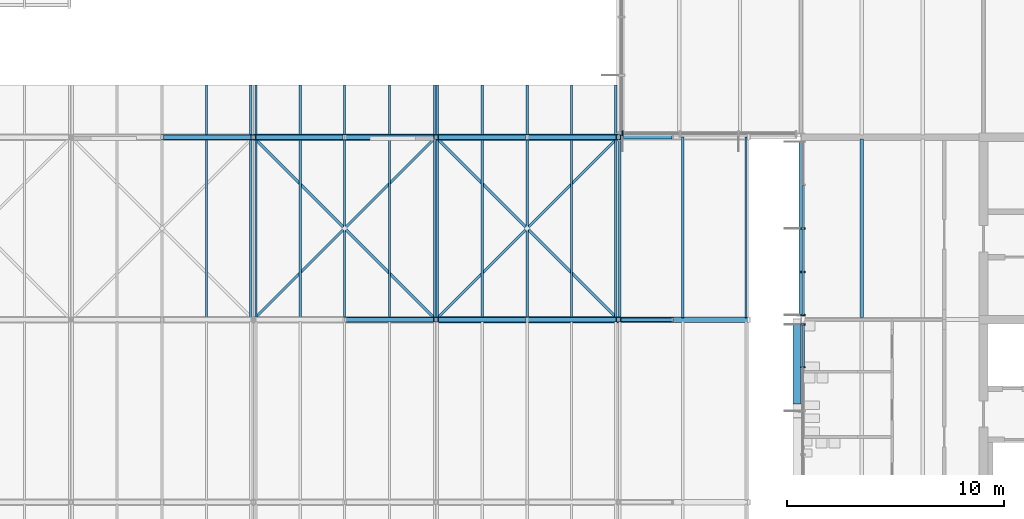
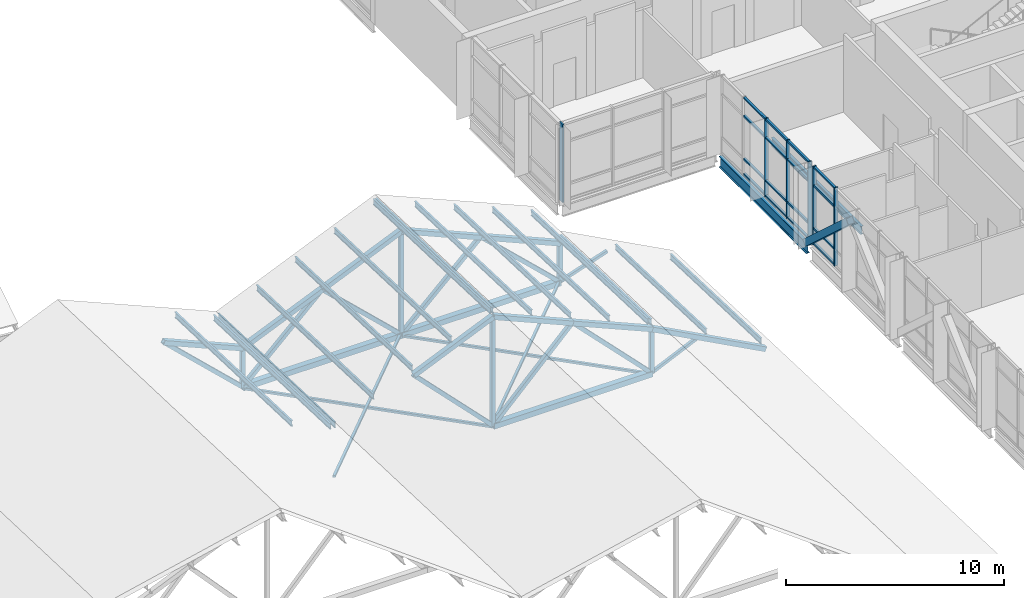
# One storey, part 17 of 76: 42 members, 29 beams, 3 elements without a shape of their own.
"""IFC4 building model written with IfcOpenShell, lengths in metres."""

from ifc_helpers import new_model, si_unit, direction, frame, origin, origin_2d, place, context, subcontext, project, spatial, rectangle, hollow_rectangle, i_section, extrude, material, material_profile, profile_set, type_object, element, aggregate, save


model = new_model("IFC4")

# Units and contexts
model_context = context("Model", 3, precision=1e-05, world=origin(), true_north=direction((0.0, 1.0)))
body_context = subcontext(model_context, "Body", "Model", "MODEL_VIEW")
ifc_project = project(units=[si_unit("LENGTHUNIT", "METRE"), si_unit("AREAUNIT", "SQUARE_METRE"), si_unit("VOLUMEUNIT", "CUBIC_METRE"), si_unit("PLANEANGLEUNIT", "RADIAN"), si_unit("MASSUNIT", "GRAM", prefix="KILO")], contexts=[model_context])

# Site, building, storey
site_placement = place(None, origin())
site = spatial("IfcSite", under=ifc_project, at=site_placement, CompositionType="ELEMENT")
building_placement = place(site_placement, origin())
building = spatial("IfcBuilding", under=site, at=building_placement, Name="Hlaing Beacon Police Headquarters", CompositionType="ELEMENT")
storey_placement = place(building_placement, frame((0.0, 0.0, 18.89990234375)))
storey = spatial("IfcBuildingStorey", under=building, at=storey_placement, Name="L04", CompositionType="ELEMENT", Elevation=18.89990234375)

# Members
ifc_material_1 = material(Name="Steel ASTM A500 Grade C", Category="steel")
ifc_material_profile_1 = material_profile(ifc_material_1, hollow_rectangle(XDim=0.355712890625, YDim=0.355712890625, WallThickness=0.015869140625, at=origin_2d()), Name="HSS14x14x5/8")
ifc_profile_set_1 = profile_set([ifc_material_profile_1], Name="Steel ASTM A500 Grade C")
member_type_1 = type_object("IfcMemberType", Name="Chevron brace HSS14x14x5/8", PredefinedType="BRACE", material=ifc_profile_set_1)
member_1_placement = place(storey_placement, frame((100.6181640625, 58.72705078125, 0.131103515625), z_axis=(0.0, -0.738446730342, 0.674311816927), x_axis=(1.0, 0.0, 0.0)))
element("IfcMember", 1, at=member_1_placement, inside=storey, type_object=member_type_1, Name="STR-BR-L04-N7b", PredefinedType="BRACE", context=body_context, shape_type="SweptSolid", body=[
    extrude(hollow_rectangle(XDim=0.355712890625, YDim=0.355712890625, WallThickness=0.015869140625, at=origin_2d()), origin(), (0.0, 0.0, 1.0), 5.31787109375),
])
ifc_material_2 = material(Name="Steel ASTM A500 Grade C", Category="steel")
ifc_material_profile_2 = material_profile(ifc_material_2, hollow_rectangle(XDim=0.15234375, YDim=0.15234375, WallThickness=0.0126953125, at=origin_2d()), Name="HSS6x6x1/2")
ifc_profile_set_2 = profile_set([ifc_material_profile_2], Name="Steel ASTM A500 Grade C")
member_type_2 = type_object("IfcMemberType", Name="Eave strut HSS6x6x1/2", PredefinedType="BRACE", material=ifc_profile_set_2)
member_2_placement = place(storey_placement, frame((92.39990234375, 58.800048828125, -4.347412109375), z_axis=(0.909882017807, 0.0, 0.414867103627), x_axis=(0.0, 1.0, 0.0)))
element("IfcMember", 2, at=member_2_placement, inside=storey, type_object=member_type_2, Name="STR-RT-V1-T4-ST02", PredefinedType="BRACE", context=body_context, shape_type="SweptSolid", body=[
    extrude(hollow_rectangle(XDim=0.15234375, YDim=0.15234375, WallThickness=0.0126953125, at=origin_2d()), origin(), (0.0, 0.0, 1.0), 2.74755859375),
])
member_3_placement = place(storey_placement, frame((92.39990234375, 67.199951171875, -4.347412109375), z_axis=(0.947940118274, 0.0, 0.318448633483), x_axis=(0.0, 1.0, 0.0)))
element("IfcMember", 3, at=member_3_placement, inside=storey, type_object=member_type_2, Name="STR-RT-V1-T5-ST02", PredefinedType="BRACE", context=body_context, shape_type="SweptSolid", body=[
    extrude(hollow_rectangle(XDim=0.15234375, YDim=0.15234375, WallThickness=0.0126953125, at=origin_2d()), origin(), (0.0, 0.0, 1.0), 2.63720703125),
])

# Beam
ifc_material_3 = material(Name="Steel ASTM A992 Grade 50", Category="steel")
ifc_material_profile_3 = material_profile(ifc_material_3, i_section(OverallWidth=0.177978515625, OverallDepth=0.599365234375, WebThickness=0.010009765625, FlangeThickness=0.012939453125, FilletRadius=0.012939453125, at=origin_2d()), Name="W24x55")
ifc_profile_set_3 = profile_set([ifc_material_profile_3], Name="Steel ASTM A992 Grade 50")
beam_type_1 = type_object("IfcBeamType", Name="Girder W24x55", PredefinedType="BEAM", material=ifc_profile_set_3)
beam_1_placement = place(storey_placement, frame((100.800048828125, 58.989990234375, -0.4296875), z_axis=(0.0, 1.0, 0.0), x_axis=(-1.0, 0.0, 0.0)))
element("IfcBeam", 4, at=beam_1_placement, inside=storey, type_object=beam_type_1, Name="STR-BM-L04-GY-N8-N9", PredefinedType="BEAM", context=body_context, shape_type="SweptSolid", body=[
    extrude(i_section(OverallWidth=0.177978515625, OverallDepth=0.599365234375, WebThickness=0.010009765625, FlangeThickness=0.012939453125, FilletRadius=0.012939453125, at=origin_2d()), origin(), (0.0, 0.0, 1.0), 8.02294921875),
])

# Curtain wall, members
ifc_material_4 = material(Name="Aluminium frame with solar control glazing", Category="aluminium")
curtain_wall_type_1 = type_object("IfcCurtainWallType", Name="Unitised curtain wall 8.03 x 4.37", PredefinedType="NOTDEFINED", material=ifc_material_4)
curtain_wall_1_placement = place(storey_placement, origin())
curtain_wall_1 = element("IfcCurtainWall", 5, at=curtain_wall_1_placement, inside=storey, type_object=curtain_wall_type_1, Name="ENV-CW-L04-W019", PredefinedType="NOTDEFINED")
ifc_material_5 = material(Name="Aluminium", Category="aluminium")
ifc_material_profile_4 = material_profile(ifc_material_5, rectangle(XDim=0.199951171875, YDim=0.06005859375, at=origin_2d()), Name="Mullion 60x200")
ifc_profile_set_4 = profile_set([ifc_material_profile_4], Name="Aluminium")
member_type_3 = type_object("IfcMemberType", Name="Mullion 60x200", PredefinedType="MULLION", material=ifc_profile_set_4)
member_4_placement = place(storey_placement, frame((100.89990234375, 63.001953125, 0.0), z_axis=(0.0, 0.0, 1.0), x_axis=(1.0, 0.0, 0.0)))
member_4 = element("IfcMember", 6, at=member_4_placement, type_object=member_type_3, Name="CW-L04-W019 mullion 3", PredefinedType="MULLION", context=body_context, shape_type="SweptSolid", body=[
    extrude(rectangle(XDim=0.199951171875, YDim=0.06005859375, at=origin_2d()), origin(), (0.0, 0.0, 1.0), 4.3701171875),
])
member_5_placement = place(storey_placement, frame((100.89990234375, 60.994873046875, 0.0), z_axis=(0.0, 0.0, 1.0), x_axis=(1.0, 0.0, 0.0)))
member_5 = element("IfcMember", 7, at=member_5_placement, type_object=member_type_3, Name="CW-L04-W019 mullion 4", PredefinedType="MULLION", context=body_context, shape_type="SweptSolid", body=[
    extrude(rectangle(XDim=0.199951171875, YDim=0.06005859375, at=origin_2d()), origin(), (0.0, 0.0, 1.0), 4.3701171875),
])
member_6_placement = place(storey_placement, frame((100.89990234375, 59.01806640625, 0.0), z_axis=(0.0, 0.0, 1.0), x_axis=(1.0, 0.0, 0.0)))
member_6 = element("IfcMember", 8, at=member_6_placement, type_object=member_type_3, Name="CW-L04-W019 mullion 5", PredefinedType="MULLION", context=body_context, shape_type="SweptSolid", body=[
    extrude(rectangle(XDim=0.199951171875, YDim=0.06005859375, at=origin_2d()), origin(), (0.0, 0.0, 1.0), 4.3701171875),
])

ifc_material_6 = material(Name="Aluminium frame with solar control glazing", Category="aluminium")
curtain_wall_type_2 = type_object("IfcCurtainWallType", Name="Unitised curtain wall 8.02 x 4.37", PredefinedType="NOTDEFINED", material=ifc_material_6)
curtain_wall_2_placement = place(storey_placement, origin())
curtain_wall_2 = element("IfcCurtainWall", 9, at=curtain_wall_2_placement, inside=storey, type_object=curtain_wall_type_2, Name="ENV-CW-L04-W020", PredefinedType="NOTDEFINED")
member_7_placement = place(storey_placement, frame((100.89990234375, 58.58203125, 0.0), z_axis=(0.0, 0.0, 1.0), x_axis=(1.0, 0.0, 0.0)))
member_7 = element("IfcMember", 10, at=member_7_placement, type_object=member_type_3, Name="CW-L04-W020 mullion 1", PredefinedType="MULLION", context=body_context, shape_type="SweptSolid", body=[
    extrude(rectangle(XDim=0.199951171875, YDim=0.06005859375, at=origin_2d()), origin(), (0.0, 0.0, 1.0), 4.3701171875),
])
member_8_placement = place(storey_placement, frame((100.89990234375, 56.60595703125, 0.0), z_axis=(0.0, 0.0, 1.0), x_axis=(1.0, 0.0, 0.0)))
member_8 = element("IfcMember", 11, at=member_8_placement, type_object=member_type_3, Name="CW-L04-W020 mullion 2", PredefinedType="MULLION", context=body_context, shape_type="SweptSolid", body=[
    extrude(rectangle(XDim=0.199951171875, YDim=0.06005859375, at=origin_2d()), origin(), (0.0, 0.0, 1.0), 4.3701171875),
])

# Curtain wall, member
ifc_material_7 = material(Name="Aluminium frame with solar control glazing", Category="aluminium")
curtain_wall_type_3 = type_object("IfcCurtainWallType", Name="Structural glazed gable wall 8.06 x 4.37", PredefinedType="NOTDEFINED", material=ifc_material_7)
curtain_wall_3_placement = place(storey_placement, origin())
curtain_wall_3 = element("IfcCurtainWall", 12, at=curtain_wall_3_placement, inside=storey, type_object=curtain_wall_type_3, Name="ENV-CW-L04-S018", PredefinedType="NOTDEFINED")
ifc_material_8 = material(Name="Aluminium", Category="aluminium")
ifc_material_profile_5 = material_profile(ifc_material_8, rectangle(XDim=0.300048828125, YDim=0.080078125, at=origin_2d()), Name="Mullion 80x300")
ifc_profile_set_5 = profile_set([ifc_material_profile_5], Name="Aluminium")
member_type_4 = type_object("IfcMemberType", Name="Mullion 80x300", PredefinedType="MULLION", material=ifc_profile_set_5)
member_9_placement = place(storey_placement, frame((92.590087890625, 67.35009765625, 0.0), z_axis=(0.0, 0.0, 1.0), x_axis=(0.0, 1.0, 0.0)))
member_9 = element("IfcMember", 13, at=member_9_placement, type_object=member_type_4, Name="CW-L04-S018 mullion 1", PredefinedType="MULLION", context=body_context, shape_type="SweptSolid", body=[
    extrude(rectangle(XDim=0.300048828125, YDim=0.080078125, at=origin_2d()), origin(), (0.0, 0.0, 1.0), 4.3701171875),
])
aggregate(curtain_wall_3, [member_9])

# Members
ifc_material_9 = material(Name="Steel ASTM A500 Grade C", Category="steel")
ifc_material_profile_6 = material_profile(ifc_material_9, hollow_rectangle(XDim=0.126953125, YDim=0.126953125, WallThickness=0.009521484375, at=origin_2d()), Name="HSS5x5x3/8")
ifc_profile_set_6 = profile_set([ifc_material_profile_6], Name="Steel ASTM A500 Grade C")
member_type_5 = type_object("IfcMemberType", Name="Roof plan brace HSS5x5x3/8", PredefinedType="BRACE", material=ifc_profile_set_6)
for number, where, z_axis, x_axis, name in (
    (14, (75.60009765625, 58.800048828125, -4.27392578125), (0.707106781187, 0.707106781187, 0.0), (-0.707106781187, 0.707106781187, 0.0), "STR-RT-V1-WB13"),
    (15, (75.60009765625, 67.199951171875, -4.4208984375), (0.707106781187, -0.707106781187, 0.0), (0.707106781187, 0.707106781187, 0.0), "STR-RT-V1-WB14"),
    (16, (84.0, 58.800048828125, -4.27392578125), (0.707106781187, 0.707106781187, 0.0), (-0.707106781187, 0.707106781187, 0.0), "STR-RT-V1-WB15"),
    (17, (84.0, 67.199951171875, -4.4208984375), (0.707106781187, -0.707106781187, 0.0), (0.707106781187, 0.707106781187, 0.0), "STR-RT-V1-WB16"),
):
    element("IfcMember", number, at=place(storey_placement, frame(where, z_axis=z_axis, x_axis=x_axis)), inside=storey, type_object=member_type_5, Name=name, PredefinedType="BRACE", context=body_context, shape_type="SweptSolid", body=[
        extrude(hollow_rectangle(XDim=0.126953125, YDim=0.126953125, WallThickness=0.009521484375, at=origin_2d()), origin(), (0.0, 0.0, 1.0), 11.879150390625),
    ])

# Beams
ifc_material_10 = material(Name="Steel ASTM A992 Grade 50", Category="steel")
ifc_material_profile_7 = material_profile(ifc_material_10, i_section(OverallWidth=0.102294921875, OverallDepth=0.3125, WebThickness=0.006591796875, FlangeThickness=0.0107421875, FilletRadius=0.007568359375, at=origin_2d()), Name="W12x22")
ifc_profile_set_7 = profile_set([ifc_material_profile_7], Name="Steel ASTM A992 Grade 50")
beam_type_2 = type_object("IfcBeamType", Name="Roof purlin W12x22", PredefinedType="BEAM", material=ifc_profile_set_7)
for number, where, z_axis, x_axis, name in (
    (18, (73.43994140625, 58.890625, -0.619384765625), (0.0, 0.999362564096, -0.035699656635), (-1.0, 0.0, 0.0), "STR-RT-V1-PR-R3-04-4"),
    (19, (75.479736328125, 58.890625, -1.49365234375), (0.0, 0.999362564096, -0.035699656635), (-1.0, 0.0, 0.0), "STR-RT-V1-PR-R3-05-4"),
    (20, (75.72021484375, 58.890625, -1.49365234375), (0.0, 0.999362564096, -0.035699656635), (-1.0, 0.0, 0.0), "STR-RT-V1-PR-R4-01-4"),
    (21, (77.760009765625, 58.890625, -0.619384765625), (0.0, 0.999362564096, -0.035699656635), (-1.0, 0.0, 0.0), "STR-RT-V1-PR-R4-02-4"),
    (22, (79.800048828125, 58.890625, 0.2548828125), (0.0, 0.999362564096, -0.035699656635), (-1.0, 0.0, 0.0), "STR-RT-V1-PR-R4-03-4"),
    (23, (81.869384765625, 58.890625, 1.141845703125), (0.0, 0.999362564096, -0.035699656635), (-1.0, 0.0, 0.0), "STR-RT-V1-PR-R4-04-4"),
    (24, (83.938720703125, 58.890625, 2.02880859375), (0.0, 0.99936175104, -0.035722409739), (-1.0, 0.0, 0.0), "STR-RT-V1-PR-R4-05-4"),
    (25, (84.061279296875, 58.890625, 2.02880859375), (0.0, 0.99936175104, -0.035722409739), (-1.0, 0.0, 0.0), "STR-RT-V1-PR-R5-01-4"),
    (26, (86.130615234375, 58.890625, 1.141845703125), (0.0, 0.999362564096, -0.035699656635), (-1.0, 0.0, 0.0), "STR-RT-V1-PR-R5-02-4"),
    (27, (88.199951171875, 58.890625, 0.2548828125), (0.0, 0.999362564096, -0.035699656635), (-1.0, 0.0, 0.0), "STR-RT-V1-PR-R5-03-4"),
    (28, (90.239990234375, 58.890625, -0.619384765625), (0.0, 0.999362564096, -0.035699656635), (-1.0, 0.0, 0.0), "STR-RT-V1-PR-R5-04-4"),
    (29, (92.27978515625, 58.890625, -1.49365234375), (0.0, 0.999362564096, -0.035699656635), (-1.0, 0.0, 0.0), "STR-RT-V1-PR-R5-05-4"),
):
    element("IfcBeam", number, at=place(storey_placement, frame(where, z_axis=z_axis, x_axis=x_axis)), inside=storey, type_object=beam_type_2, Name=name, PredefinedType="BEAM", context=body_context, shape_type="SweptSolid", body=[
        extrude(i_section(OverallWidth=0.102294921875, OverallDepth=0.3125, WebThickness=0.006591796875, FlangeThickness=0.0107421875, FilletRadius=0.007568359375, at=origin_2d()), origin(), (0.0, 0.0, 1.0), 10.71630859375),
    ])
for number, where, z_axis, x_axis, name in (
    (30, (92.461181640625, 58.890625, -1.589599609375), (0.0, 0.999362367992, -0.035705145864), (-1.0, 0.0, 0.0), "STR-RT-V1-PR-R6-01-4"),
    (31, (95.36474609375, 58.890625, -3.13818359375), (0.0, 0.999362367992, -0.035705145864), (-1.0, 0.0, 0.0), "STR-RT-V1-PR-R6-02-4"),
    (32, (98.268310546875, 58.890625, -4.686767578125), (0.0, 0.999362367992, -0.035705145864), (-1.0, 0.0, 0.0), "STR-RT-V1-PR-R6-03-4"),
):
    element("IfcBeam", number, at=place(storey_placement, frame(where, z_axis=z_axis, x_axis=x_axis)), inside=storey, type_object=beam_type_2, Name=name, PredefinedType="BEAM", context=body_context, shape_type="SweptSolid", body=[
        extrude(i_section(OverallWidth=0.102294921875, OverallDepth=0.3125, WebThickness=0.006591796875, FlangeThickness=0.0107421875, FilletRadius=0.007568359375, at=origin_2d()), origin(), (0.0, 0.0, 1.0), 8.314697265625),
    ])
ifc_material_11 = material(Name="Steel ASTM A992 Grade 50", Category="steel")
ifc_material_profile_8 = material_profile(ifc_material_11, i_section(OverallWidth=0.15234375, OverallDepth=0.449462890625, WebThickness=0.007568359375, FlangeThickness=0.0107421875, FilletRadius=0.01025390625, at=origin_2d()), Name="W18x35")
ifc_profile_set_8 = profile_set([ifc_material_profile_8], Name="Steel ASTM A992 Grade 50")
beam_type_3 = type_object("IfcBeamType", Name="Secondary beam W18x35", PredefinedType="BEAM", material=ifc_profile_set_8)
beam_2_placement = place(storey_placement, frame((103.60009765625, 58.888916015625, -0.354736328125), z_axis=(0.0, 1.0, 0.0), x_axis=(-1.0, 0.0, 0.0)))
element("IfcBeam", 33, at=beam_2_placement, inside=storey, type_object=beam_type_3, Name="STR-BM-L04-SB-N8-y1", PredefinedType="BEAM", context=body_context, shape_type="SweptSolid", body=[
    extrude(i_section(OverallWidth=0.15234375, OverallDepth=0.449462890625, WebThickness=0.007568359375, FlangeThickness=0.0107421875, FilletRadius=0.01025390625, at=origin_2d()), origin(), (0.0, 0.0, 1.0), 8.22216796875),
])

# Member
ifc_material_12 = material(Name="Aluminium", Category="aluminium")
ifc_material_profile_9 = material_profile(ifc_material_12, rectangle(XDim=0.1201171875, YDim=0.10009765625, at=origin_2d()), Name="Transom 120x100")
ifc_profile_set_9 = profile_set([ifc_material_profile_9], Name="Aluminium")
member_type_6 = type_object("IfcMemberType", Name="Transom 120x100", PredefinedType="USERDEFINED", material=ifc_profile_set_9)
member_10_placement = place(storey_placement, frame((100.89990234375, 64.97900390625, 0.050048828125), z_axis=(0.0, -1.0, 0.0), x_axis=(1.0, 0.0, 0.0)))
member_10 = element("IfcMember", 34, at=member_10_placement, type_object=member_type_6, Name="CW-L04-W019 transom 2.1", ObjectType="TRANSOM", PredefinedType="USERDEFINED", context=body_context, shape_type="SweptSolid", body=[
    extrude(rectangle(XDim=0.1201171875, YDim=0.10009765625, at=origin_2d()), origin(), (0.0, 0.0, 1.0), 1.947021484375),
])

member_11_placement = place(storey_placement, frame((100.89990234375, 64.97900390625, 0.900146484375), z_axis=(0.0, -1.0, 0.0), x_axis=(1.0, 0.0, 0.0)))
member_11 = element("IfcMember", 35, at=member_11_placement, type_object=member_type_6, Name="CW-L04-W019 transom 2.2", ObjectType="TRANSOM", PredefinedType="USERDEFINED", context=body_context, shape_type="SweptSolid", body=[
    extrude(rectangle(XDim=0.1201171875, YDim=0.10009765625, at=origin_2d()), origin(), (0.0, 0.0, 1.0), 1.947021484375),
])

member_12_placement = place(storey_placement, frame((100.89990234375, 64.97900390625, 3.300048828125), z_axis=(0.0, -1.0, 0.0), x_axis=(1.0, 0.0, 0.0)))
member_12 = element("IfcMember", 36, at=member_12_placement, type_object=member_type_6, Name="CW-L04-W019 transom 2.3", ObjectType="TRANSOM", PredefinedType="USERDEFINED", context=body_context, shape_type="SweptSolid", body=[
    extrude(rectangle(XDim=0.1201171875, YDim=0.10009765625, at=origin_2d()), origin(), (0.0, 0.0, 1.0), 1.947021484375),
])

member_13_placement = place(storey_placement, frame((100.89990234375, 64.97900390625, 4.320068359375), z_axis=(0.0, -1.0, 0.0), x_axis=(1.0, 0.0, 0.0)))
member_13 = element("IfcMember", 37, at=member_13_placement, type_object=member_type_6, Name="CW-L04-W019 transom 2.4", ObjectType="TRANSOM", PredefinedType="USERDEFINED", context=body_context, shape_type="SweptSolid", body=[
    extrude(rectangle(XDim=0.1201171875, YDim=0.10009765625, at=origin_2d()), origin(), (0.0, 0.0, 1.0), 1.947021484375),
])

member_14_placement = place(storey_placement, frame((100.89990234375, 62.971923828125, 0.050048828125), z_axis=(0.0, -1.0, 0.0), x_axis=(1.0, 0.0, 0.0)))
member_14 = element("IfcMember", 38, at=member_14_placement, type_object=member_type_6, Name="CW-L04-W019 transom 3.1", ObjectType="TRANSOM", PredefinedType="USERDEFINED", context=body_context, shape_type="SweptSolid", body=[
    extrude(rectangle(XDim=0.1201171875, YDim=0.10009765625, at=origin_2d()), origin(), (0.0, 0.0, 1.0), 1.947021484375),
])

member_15_placement = place(storey_placement, frame((100.89990234375, 62.971923828125, 0.900146484375), z_axis=(0.0, -1.0, 0.0), x_axis=(1.0, 0.0, 0.0)))
member_15 = element("IfcMember", 39, at=member_15_placement, type_object=member_type_6, Name="CW-L04-W019 transom 3.2", ObjectType="TRANSOM", PredefinedType="USERDEFINED", context=body_context, shape_type="SweptSolid", body=[
    extrude(rectangle(XDim=0.1201171875, YDim=0.10009765625, at=origin_2d()), origin(), (0.0, 0.0, 1.0), 1.947021484375),
])

member_16_placement = place(storey_placement, frame((100.89990234375, 62.971923828125, 3.300048828125), z_axis=(0.0, -1.0, 0.0), x_axis=(1.0, 0.0, 0.0)))
member_16 = element("IfcMember", 40, at=member_16_placement, type_object=member_type_6, Name="CW-L04-W019 transom 3.3", ObjectType="TRANSOM", PredefinedType="USERDEFINED", context=body_context, shape_type="SweptSolid", body=[
    extrude(rectangle(XDim=0.1201171875, YDim=0.10009765625, at=origin_2d()), origin(), (0.0, 0.0, 1.0), 1.947021484375),
])

member_17_placement = place(storey_placement, frame((100.89990234375, 62.971923828125, 4.320068359375), z_axis=(0.0, -1.0, 0.0), x_axis=(1.0, 0.0, 0.0)))
member_17 = element("IfcMember", 41, at=member_17_placement, type_object=member_type_6, Name="CW-L04-W019 transom 3.4", ObjectType="TRANSOM", PredefinedType="USERDEFINED", context=body_context, shape_type="SweptSolid", body=[
    extrude(rectangle(XDim=0.1201171875, YDim=0.10009765625, at=origin_2d()), origin(), (0.0, 0.0, 1.0), 1.947021484375),
])

member_18_placement = place(storey_placement, frame((100.89990234375, 60.965087890625, 0.050048828125), z_axis=(0.0, -1.0, 0.0), x_axis=(1.0, 0.0, 0.0)))
member_18 = element("IfcMember", 42, at=member_18_placement, type_object=member_type_6, Name="CW-L04-W019 transom 4.1", ObjectType="TRANSOM", PredefinedType="USERDEFINED", context=body_context, shape_type="SweptSolid", body=[
    extrude(rectangle(XDim=0.1201171875, YDim=0.10009765625, at=origin_2d()), origin(), (0.0, 0.0, 1.0), 1.9169921875),
])

member_19_placement = place(storey_placement, frame((100.89990234375, 60.965087890625, 0.900146484375), z_axis=(0.0, -1.0, 0.0), x_axis=(1.0, 0.0, 0.0)))
member_19 = element("IfcMember", 43, at=member_19_placement, type_object=member_type_6, Name="CW-L04-W019 transom 4.2", ObjectType="TRANSOM", PredefinedType="USERDEFINED", context=body_context, shape_type="SweptSolid", body=[
    extrude(rectangle(XDim=0.1201171875, YDim=0.10009765625, at=origin_2d()), origin(), (0.0, 0.0, 1.0), 1.9169921875),
])

member_20_placement = place(storey_placement, frame((100.89990234375, 60.965087890625, 3.300048828125), z_axis=(0.0, -1.0, 0.0), x_axis=(1.0, 0.0, 0.0)))
member_20 = element("IfcMember", 44, at=member_20_placement, type_object=member_type_6, Name="CW-L04-W019 transom 4.3", ObjectType="TRANSOM", PredefinedType="USERDEFINED", context=body_context, shape_type="SweptSolid", body=[
    extrude(rectangle(XDim=0.1201171875, YDim=0.10009765625, at=origin_2d()), origin(), (0.0, 0.0, 1.0), 1.9169921875),
])

member_21_placement = place(storey_placement, frame((100.89990234375, 60.965087890625, 4.320068359375), z_axis=(0.0, -1.0, 0.0), x_axis=(1.0, 0.0, 0.0)))
member_21 = element("IfcMember", 45, at=member_21_placement, type_object=member_type_6, Name="CW-L04-W019 transom 4.4", ObjectType="TRANSOM", PredefinedType="USERDEFINED", context=body_context, shape_type="SweptSolid", body=[
    extrude(rectangle(XDim=0.1201171875, YDim=0.10009765625, at=origin_2d()), origin(), (0.0, 0.0, 1.0), 1.9169921875),
])

aggregate(curtain_wall_1, [member_4, member_5, member_6, member_10, member_11, member_12, member_13, member_14, member_15, member_16, member_17, member_18, member_19, member_20, member_21])

member_22_placement = place(storey_placement, frame((100.89990234375, 58.552001953125, 0.050048828125), z_axis=(0.0, -1.0, 0.0), x_axis=(1.0, 0.0, 0.0)))
member_22 = element("IfcMember", 46, at=member_22_placement, type_object=member_type_6, Name="CW-L04-W020 transom 1.1", ObjectType="TRANSOM", PredefinedType="USERDEFINED", context=body_context, shape_type="SweptSolid", body=[
    extrude(rectangle(XDim=0.1201171875, YDim=0.10009765625, at=origin_2d()), origin(), (0.0, 0.0, 1.0), 1.916015625),
])

member_23_placement = place(storey_placement, frame((100.89990234375, 58.552001953125, 0.900146484375), z_axis=(0.0, -1.0, 0.0), x_axis=(1.0, 0.0, 0.0)))
member_23 = element("IfcMember", 47, at=member_23_placement, type_object=member_type_6, Name="CW-L04-W020 transom 1.2", ObjectType="TRANSOM", PredefinedType="USERDEFINED", context=body_context, shape_type="SweptSolid", body=[
    extrude(rectangle(XDim=0.1201171875, YDim=0.10009765625, at=origin_2d()), origin(), (0.0, 0.0, 1.0), 1.916015625),
])

member_24_placement = place(storey_placement, frame((100.89990234375, 58.552001953125, 3.300048828125), z_axis=(0.0, -1.0, 0.0), x_axis=(1.0, 0.0, 0.0)))
member_24 = element("IfcMember", 48, at=member_24_placement, type_object=member_type_6, Name="CW-L04-W020 transom 1.3", ObjectType="TRANSOM", PredefinedType="USERDEFINED", context=body_context, shape_type="SweptSolid", body=[
    extrude(rectangle(XDim=0.1201171875, YDim=0.10009765625, at=origin_2d()), origin(), (0.0, 0.0, 1.0), 1.916015625),
])

member_25_placement = place(storey_placement, frame((100.89990234375, 58.552001953125, 4.320068359375), z_axis=(0.0, -1.0, 0.0), x_axis=(1.0, 0.0, 0.0)))
member_25 = element("IfcMember", 49, at=member_25_placement, type_object=member_type_6, Name="CW-L04-W020 transom 1.4", ObjectType="TRANSOM", PredefinedType="USERDEFINED", context=body_context, shape_type="SweptSolid", body=[
    extrude(rectangle(XDim=0.1201171875, YDim=0.10009765625, at=origin_2d()), origin(), (0.0, 0.0, 1.0), 1.916015625),
])

aggregate(curtain_wall_2, [member_7, member_8, member_22, member_23, member_24, member_25])

# Beams
ifc_material_13 = material(Name="Steel ASTM A500 Grade C", Category="steel")
ifc_material_profile_10 = material_profile(ifc_material_13, hollow_rectangle(XDim=0.3046875, YDim=0.3046875, WallThickness=0.015869140625, at=origin_2d()), Name="HSS12x12x5/8")
ifc_profile_set_10 = profile_set([ifc_material_profile_10], Name="Steel ASTM A500 Grade C")
beam_type_4 = type_object("IfcBeamType", Name="Truss bottom chord HSS12x12x5/8", PredefinedType="BEAM", material=ifc_profile_set_10)
for number, where, z_axis, x_axis, name in (
    (50, (84.0, 58.800048828125, -4.347412109375), (1.0, 0.0, 0.0), (0.0, 1.0, 0.0), "STR-RT-V1-T4-BC04"),
    (51, (75.60009765625, 67.199951171875, -4.347412109375), (1.0, 0.0, 0.0), (0.0, 1.0, 0.0), "STR-RT-V1-T5-BC03"),
    (52, (84.0, 67.199951171875, -4.347412109375), (1.0, 0.0, 0.0), (0.0, 1.0, 0.0), "STR-RT-V1-T5-BC04"),
):
    element("IfcBeam", number, at=place(storey_placement, frame(where, z_axis=z_axis, x_axis=x_axis)), inside=storey, type_object=beam_type_4, Name=name, PredefinedType="BEAM", context=body_context, shape_type="SweptSolid", body=[
        extrude(hollow_rectangle(XDim=0.3046875, YDim=0.3046875, WallThickness=0.015869140625, at=origin_2d()), origin(), (0.0, 0.0, 1.0), 8.39990234375),
    ])

# Members
ifc_material_14 = material(Name="Steel ASTM A500 Grade C", Category="steel")
ifc_material_profile_11 = material_profile(ifc_material_14, hollow_rectangle(XDim=0.203125, YDim=0.203125, WallThickness=0.015869140625, at=origin_2d()), Name="HSS8x8x5/8")
ifc_profile_set_11 = profile_set([ifc_material_profile_11], Name="Steel ASTM A500 Grade C")
member_type_7 = type_object("IfcMemberType", Name="Truss post HSS8x8x5/8", PredefinedType="POST", material=ifc_profile_set_11)
member_26_placement = place(storey_placement, frame((84.0, 58.800048828125, -4.347412109375), z_axis=(0.0, 0.0, 1.0), x_axis=(1.0, 0.0, 0.0)))
element("IfcMember", 53, at=member_26_placement, inside=storey, type_object=member_type_7, Name="STR-RT-V1-T4-PS04", PredefinedType="POST", context=body_context, shape_type="SweptSolid", body=[
    extrude(hollow_rectangle(XDim=0.203125, YDim=0.203125, WallThickness=0.015869140625, at=origin_2d()), origin(), (0.0, 0.0, 1.0), 6.101806640625),
])
member_27_placement = place(storey_placement, frame((92.39990234375, 58.800048828125, -4.347412109375), z_axis=(0.0, 0.0, 1.0), x_axis=(1.0, 0.0, 0.0)))
element("IfcMember", 54, at=member_27_placement, inside=storey, type_object=member_type_7, Name="STR-RT-V1-T4-PS05", PredefinedType="POST", context=body_context, shape_type="SweptSolid", body=[
    extrude(hollow_rectangle(XDim=0.203125, YDim=0.203125, WallThickness=0.015869140625, at=origin_2d()), origin(), (0.0, 0.0, 1.0), 2.47802734375),
])
member_28_placement = place(storey_placement, frame((75.60009765625, 67.199951171875, -4.347412109375), z_axis=(0.0, 0.0, 1.0), x_axis=(1.0, 0.0, 0.0)))
element("IfcMember", 55, at=member_28_placement, inside=storey, type_object=member_type_7, Name="STR-RT-V1-T5-PS03", PredefinedType="POST", context=body_context, shape_type="SweptSolid", body=[
    extrude(hollow_rectangle(XDim=0.203125, YDim=0.203125, WallThickness=0.015869140625, at=origin_2d()), origin(), (0.0, 0.0, 1.0), 2.189697265625),
])
member_29_placement = place(storey_placement, frame((84.0, 67.199951171875, -4.347412109375), z_axis=(0.0, 0.0, 1.0), x_axis=(1.0, 0.0, 0.0)))
element("IfcMember", 56, at=member_29_placement, inside=storey, type_object=member_type_7, Name="STR-RT-V1-T5-PS04", PredefinedType="POST", context=body_context, shape_type="SweptSolid", body=[
    extrude(hollow_rectangle(XDim=0.203125, YDim=0.203125, WallThickness=0.015869140625, at=origin_2d()), origin(), (0.0, 0.0, 1.0), 5.8017578125),
])
member_30_placement = place(storey_placement, frame((92.39990234375, 67.199951171875, -4.347412109375), z_axis=(0.0, 0.0, 1.0), x_axis=(1.0, 0.0, 0.0)))
element("IfcMember", 57, at=member_30_placement, inside=storey, type_object=member_type_7, Name="STR-RT-V1-T5-PS05", PredefinedType="POST", context=body_context, shape_type="SweptSolid", body=[
    extrude(hollow_rectangle(XDim=0.203125, YDim=0.203125, WallThickness=0.015869140625, at=origin_2d()), origin(), (0.0, 0.0, 1.0), 2.17822265625),
])

# Beams
ifc_material_15 = material(Name="Steel ASTM A500 Grade C", Category="steel")
ifc_material_profile_12 = material_profile(ifc_material_15, hollow_rectangle(XDim=0.25390625, YDim=0.25390625, WallThickness=0.015869140625, at=origin_2d()), Name="HSS10x10x5/8")
ifc_profile_set_12 = profile_set([ifc_material_profile_12], Name="Steel ASTM A500 Grade C")
beam_type_5 = type_object("IfcBeamType", Name="Truss top chord HSS10x10x5/8", PredefinedType="BEAM", material=ifc_profile_set_12)
for number, where, z_axis, x_axis, name in (
    (58, (79.800048828125, 58.800048828125, -0.0576171875), (0.918189896614, 0.0, 0.396140522739), (0.0, 1.0, 0.0), "STR-RT-V1-T4-TC07"),
    (59, (84.0, 58.800048828125, 1.75439453125), (0.918189896614, 0.0, -0.396140522739), (0.0, 1.0, 0.0), "STR-RT-V1-T4-TC08"),
):
    element("IfcBeam", number, at=place(storey_placement, frame(where, z_axis=z_axis, x_axis=x_axis)), inside=storey, type_object=beam_type_5, Name=name, PredefinedType="BEAM", context=body_context, shape_type="SweptSolid", body=[
        extrude(hollow_rectangle(XDim=0.25390625, YDim=0.25390625, WallThickness=0.015869140625, at=origin_2d()), origin(), (0.0, 0.0, 1.0), 4.57421875),
    ])
beam_3_placement = place(storey_placement, frame((88.199951171875, 58.800048828125, -0.0576171875), z_axis=(0.918209309702, 0.0, -0.396095523298), x_axis=(0.0, 1.0, 0.0)))
element("IfcBeam", 60, at=beam_3_placement, inside=storey, type_object=beam_type_5, Name="STR-RT-V1-T4-TC09", PredefinedType="BEAM", context=body_context, shape_type="SweptSolid", body=[
    extrude(hollow_rectangle(XDim=0.25390625, YDim=0.25390625, WallThickness=0.015869140625, at=origin_2d()), origin(), (0.0, 0.0, 1.0), 4.573974609375),
])
beam_4_placement = place(storey_placement, frame((92.39990234375, 58.800048828125, -1.869384765625), z_axis=(0.881654838355, 0.0, -0.471894846343), x_axis=(0.0, 1.0, 0.0)))
element("IfcBeam", 61, at=beam_4_placement, inside=storey, type_object=beam_type_5, Name="STR-RT-V1-T4-TC10", PredefinedType="BEAM", context=body_context, shape_type="SweptSolid", body=[
    extrude(hollow_rectangle(XDim=0.25390625, YDim=0.25390625, WallThickness=0.015869140625, at=origin_2d()), origin(), (0.0, 0.0, 1.0), 6.805419921875),
])
beam_5_placement = place(storey_placement, frame((71.39990234375, 67.199951171875, -0.357666015625), z_axis=(0.91914779343, 0.0, -0.393912850556), x_axis=(0.0, 1.0, 0.0)))
element("IfcBeam", 62, at=beam_5_placement, inside=storey, type_object=beam_type_5, Name="STR-RT-V1-T5-TC05", PredefinedType="BEAM", context=body_context, shape_type="SweptSolid", body=[
    extrude(hollow_rectangle(XDim=0.25390625, YDim=0.25390625, WallThickness=0.015869140625, at=origin_2d()), origin(), (0.0, 0.0, 1.0), 4.569580078125),
])
beam_6_placement = place(storey_placement, frame((75.60009765625, 67.199951171875, -2.15771484375), z_axis=(0.919139502787, 0.0, 0.393932195201), x_axis=(0.0, 1.0, 0.0)))
element("IfcBeam", 63, at=beam_6_placement, inside=storey, type_object=beam_type_5, Name="STR-RT-V1-T5-TC06", PredefinedType="BEAM", context=body_context, shape_type="SweptSolid", body=[
    extrude(hollow_rectangle(XDim=0.25390625, YDim=0.25390625, WallThickness=0.015869140625, at=origin_2d()), origin(), (0.0, 0.0, 1.0), 4.5693359375),
])
for number, where, z_axis, x_axis, name in (
    (64, (79.800048828125, 67.199951171875, -0.357666015625), (0.918189896614, 0.0, 0.396140522739), (0.0, 1.0, 0.0), "STR-RT-V1-T5-TC07"),
    (65, (84.0, 67.199951171875, 1.454345703125), (0.918189896614, 0.0, -0.396140522739), (0.0, 1.0, 0.0), "STR-RT-V1-T5-TC08"),
):
    element("IfcBeam", number, at=place(storey_placement, frame(where, z_axis=z_axis, x_axis=x_axis)), inside=storey, type_object=beam_type_5, Name=name, PredefinedType="BEAM", context=body_context, shape_type="SweptSolid", body=[
        extrude(hollow_rectangle(XDim=0.25390625, YDim=0.25390625, WallThickness=0.015869140625, at=origin_2d()), origin(), (0.0, 0.0, 1.0), 4.57421875),
    ])
beam_7_placement = place(storey_placement, frame((88.199951171875, 67.199951171875, -0.357666015625), z_axis=(0.918228721405, 0.0, -0.396050521004), x_axis=(0.0, 1.0, 0.0)))
element("IfcBeam", 66, at=beam_7_placement, inside=storey, type_object=beam_type_5, Name="STR-RT-V1-T5-TC09", PredefinedType="BEAM", context=body_context, shape_type="SweptSolid", body=[
    extrude(hollow_rectangle(XDim=0.25390625, YDim=0.25390625, WallThickness=0.015869140625, at=origin_2d()), origin(), (0.0, 0.0, 1.0), 4.573974609375),
])

# Members
ifc_material_16 = material(Name="Steel ASTM A500 Grade C", Category="steel")
ifc_material_profile_13 = material_profile(ifc_material_16, hollow_rectangle(XDim=0.203125, YDim=0.203125, WallThickness=0.0126953125, at=origin_2d()), Name="HSS8x8x1/2")
ifc_profile_set_13 = profile_set([ifc_material_profile_13], Name="Steel ASTM A500 Grade C")
member_type_8 = type_object("IfcMemberType", Name="Truss web HSS8x8x1/2", PredefinedType="BRACE", material=ifc_profile_set_13)
for number, where, z_axis, x_axis, name in (
    (67, (79.800048828125, 58.800048828125, -0.0576171875), (0.699584566608, 0.0, -0.714549812234), (0.0, 1.0, 0.0), "STR-RT-V1-T4-DG06"),
    (68, (84.0, 58.800048828125, -4.347412109375), (0.699584566608, 0.0, 0.714549812234), (0.0, 1.0, 0.0), "STR-RT-V1-T4-DG07"),
    (69, (88.199951171875, 58.800048828125, -0.0576171875), (0.699584566608, 0.0, -0.714549812234), (0.0, 1.0, 0.0), "STR-RT-V1-T4-DG08"),
):
    element("IfcMember", number, at=place(storey_placement, frame(where, z_axis=z_axis, x_axis=x_axis)), inside=storey, type_object=member_type_8, Name=name, PredefinedType="BRACE", context=body_context, shape_type="SweptSolid", body=[
        extrude(hollow_rectangle(XDim=0.203125, YDim=0.203125, WallThickness=0.0126953125, at=origin_2d()), origin(), (0.0, 0.0, 1.0), 6.00341796875),
    ])
for number, where, z_axis, x_axis, name in (
    (70, (71.39990234375, 67.199951171875, -0.357666015625), (0.725037311835, 0.0, -0.688709587887), (0.0, 1.0, 0.0), "STR-RT-V1-T5-DG04"),
    (71, (75.60009765625, 67.199951171875, -4.347412109375), (0.725017321361, 0.0, 0.688730632197), (0.0, 1.0, 0.0), "STR-RT-V1-T5-DG05"),
    (72, (79.800048828125, 67.199951171875, -0.357666015625), (0.725017321361, 0.0, -0.688730632197), (0.0, 1.0, 0.0), "STR-RT-V1-T5-DG06"),
    (73, (84.0, 67.199951171875, -4.347412109375), (0.725017321361, 0.0, 0.688730632197), (0.0, 1.0, 0.0), "STR-RT-V1-T5-DG07"),
    (74, (88.199951171875, 67.199951171875, -0.357666015625), (0.725017321361, 0.0, -0.688730632197), (0.0, 1.0, 0.0), "STR-RT-V1-T5-DG08"),
):
    element("IfcMember", number, at=place(storey_placement, frame(where, z_axis=z_axis, x_axis=x_axis)), inside=storey, type_object=member_type_8, Name=name, PredefinedType="BRACE", context=body_context, shape_type="SweptSolid", body=[
        extrude(hollow_rectangle(XDim=0.203125, YDim=0.203125, WallThickness=0.0126953125, at=origin_2d()), origin(), (0.0, 0.0, 1.0), 5.79296875),
    ])

save(model, "model.ifc")
